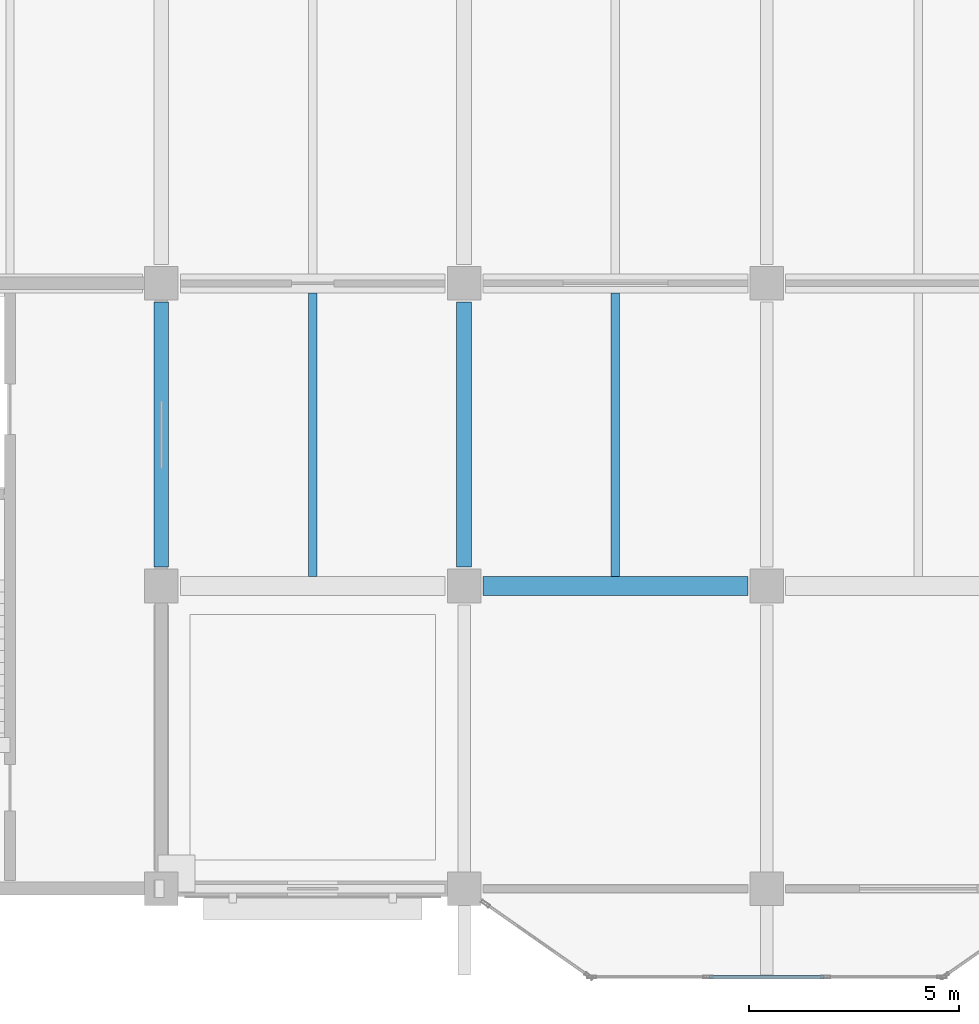
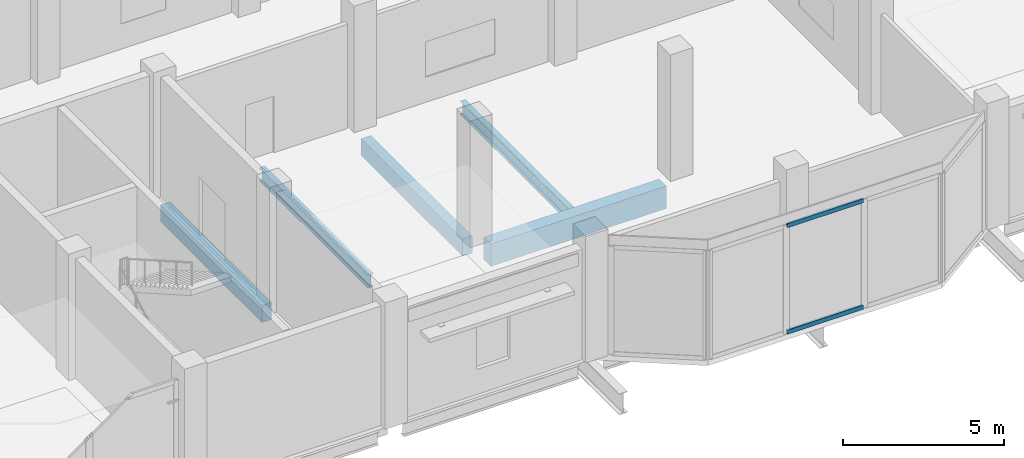
# One storey, part 42 of 99: 5 beams, 2 members, 1 element without a shape of its own.
"""IFC4 building model written with IfcOpenShell, lengths in metres."""

from ifc_helpers import new_model, si_unit, direction, frame, origin, origin_2d, place, context, subcontext, project, spatial, rectangle, hollow_rectangle, i_section, extrude, material, material_profile, profile_set, type_object, element, aggregate, save


model = new_model("IFC4")

# Units and contexts
model_context = context("Model", 3, precision=1e-05, world=origin(), true_north=direction((0.0, 1.0)))
body_context = subcontext(model_context, "Body", "Model", "MODEL_VIEW")
ifc_project = project(units=[si_unit("LENGTHUNIT", "METRE"), si_unit("AREAUNIT", "SQUARE_METRE"), si_unit("VOLUMEUNIT", "CUBIC_METRE"), si_unit("PLANEANGLEUNIT", "RADIAN"), si_unit("MASSUNIT", "GRAM", prefix="KILO")], contexts=[model_context])

# Site, building, storey
site_placement = place(None, origin())
site = spatial("IfcSite", under=ifc_project, at=site_placement, CompositionType="ELEMENT")
building_placement = place(site_placement, origin())
building = spatial("IfcBuilding", under=site, at=building_placement, Name="Vesperath Aquatics Centre", CompositionType="ELEMENT")
storey_placement = place(building_placement, frame((0.0, 0.0, 5.39990234375)))
storey = spatial("IfcBuildingStorey", under=building, at=storey_placement, Name="L01", CompositionType="ELEMENT", Elevation=5.39990234375)

# Beams
ifc_material_1 = material(Name="Concrete C35", Category="concrete")
ifc_material_profile_1 = material_profile(ifc_material_1, rectangle(XDim=0.449951171875, YDim=0.85009765625, at=origin_2d()), Name="RC 450x850")
ifc_profile_set_1 = profile_set([ifc_material_profile_1], Name="Concrete C35")
beam_type_1 = type_object("IfcBeamType", Name="BM-G03", PredefinedType="BEAM", material=ifc_profile_set_1)
beam_placement = place(storey_placement, frame((137.25, 7.199951171875, -0.684814453125), z_axis=(1.0, 0.0, 0.0), x_axis=(0.0, 1.0, 0.0)))
element("IfcBeam", 1, at=beam_placement, inside=storey, type_object=beam_type_1, Name="Floor Girder B03 L01 B 20-21", PredefinedType="BEAM", context=body_context, shape_type="SweptSolid", body=[
    extrude(rectangle(XDim=0.449951171875, YDim=0.85009765625, at=origin_2d()), origin(), (0.0, 0.0, 1.0), 6.300048828125),
])
ifc_material_profile_2 = material_profile(ifc_material_1, rectangle(XDim=0.35009765625, YDim=0.64990234375, at=origin_2d()), Name="RC 350x650")
ifc_profile_set_2 = profile_set([ifc_material_profile_2], Name="Concrete C35")
beam_type_2 = type_object("IfcBeamType", Name="BM-G05", PredefinedType="BEAM", material=ifc_profile_set_2)
for number, where, z_axis, x_axis, name in (
    (2, (129.60009765625, 7.64990234375, -0.5849609375), (0.0, 1.0, 0.0), (-1.0, 0.0, 0.0), "Floor Girder B05 L01 19 B-C"),
    (3, (136.800048828125, 7.64990234375, -0.5849609375), (0.0, 1.0, 0.0), (-1.0, 0.0, 0.0), "Floor Girder B05 L01 20 B-C"),
):
    element("IfcBeam", number, at=place(storey_placement, frame(where, z_axis=z_axis, x_axis=x_axis)), inside=storey, type_object=beam_type_2, Name=name, PredefinedType="BEAM", context=body_context, shape_type="SweptSolid", body=[
        extrude(rectangle(XDim=0.35009765625, YDim=0.64990234375, at=origin_2d()), origin(), (0.0, 0.0, 1.0), 6.300048828125),
    ])
ifc_material_2 = material(Name="Steel Q355C", Category="steel")
ifc_material_profile_3 = material_profile(ifc_material_2, i_section(OverallWidth=0.199951171875, OverallDepth=0.5, WebThickness=0.010009765625, FlangeThickness=0.01611328125, FilletRadius=0.02001953125, at=origin_2d()), Name="HN 500x200x10x16")
ifc_profile_set_3 = profile_set([ifc_material_profile_3], Name="Steel Q355C")
beam_type_3 = type_object("IfcBeamType", Name="BM-J02", PredefinedType="JOIST", material=ifc_profile_set_3)
for number, where, z_axis, x_axis, name in (
    (4, (133.199951171875, 7.425048828125, -0.510009765625), (0.0, 1.0, 0.0), (-1.0, 0.0, 0.0), "Secondary Floor Joist J02 L01 19/B"),
    (5, (140.39990234375, 7.425048828125, -0.510009765625), (0.0, 1.0, 0.0), (-1.0, 0.0, 0.0), "Secondary Floor Joist J02 L01 20/B"),
):
    element("IfcBeam", number, at=place(storey_placement, frame(where, z_axis=z_axis, x_axis=x_axis)), inside=storey, type_object=beam_type_3, Name=name, PredefinedType="JOIST", context=body_context, shape_type="SweptSolid", body=[
        extrude(i_section(OverallWidth=0.199951171875, OverallDepth=0.5, WebThickness=0.010009765625, FlangeThickness=0.01611328125, FilletRadius=0.02001953125, at=origin_2d()), origin(), (0.0, 0.0, 1.0), 6.75),
    ])

# Curtain wall, members
ifc_material_3 = material(Name="Thermally broken anodised bronze aluminium curtain wall", Category="aluminium")
curtain_wall_type = type_object("IfcCurtainWallType", Name="CW-02", PredefinedType="NOTDEFINED", material=ifc_material_3)
curtain_wall_placement = place(storey_placement, origin())
curtain_wall = element("IfcCurtainWall", 6, at=curtain_wall_placement, inside=storey, type_object=curtain_wall_type, Name="South Boulevard Bow Oriel Curtain Wall L01-C", PredefinedType="NOTDEFINED")
ifc_material_4 = material(Name="Thermally broken anodised aluminium", Category="aluminium")
ifc_material_profile_4 = material_profile(ifc_material_4, hollow_rectangle(XDim=0.070068359375, YDim=0.159912109375, WallThickness=0.0048828125, at=origin_2d()), Name="CWT 70x160x5")
ifc_profile_set_4 = profile_set([ifc_material_profile_4], Name="Thermally broken anodised aluminium")
member_type = type_object("IfcMemberType", Name="MB-CWT2", PredefinedType="USERDEFINED", material=ifc_profile_set_4)
member_1_placement = place(storey_placement, frame((142.635009765625, -2.10009765625, 0.03515625), z_axis=(1.0, 0.0, 0.0), x_axis=(0.0, 1.0, 0.0)))
member_1 = element("IfcMember", 7, at=member_1_placement, type_object=member_type, Name="CW02 transom 2.1", ObjectType="TRANSOM", PredefinedType="USERDEFINED", context=body_context, shape_type="SweptSolid", body=[
    extrude(hollow_rectangle(XDim=0.070068359375, YDim=0.159912109375, WallThickness=0.0048828125, at=origin_2d()), origin(), (0.0, 0.0, 1.0), 2.72998046875),
])
member_2_placement = place(storey_placement, frame((142.635009765625, -2.10009765625, 4.0751953125), z_axis=(1.0, 0.0, 0.0), x_axis=(0.0, 1.0, 0.0)))
member_2 = element("IfcMember", 8, at=member_2_placement, type_object=member_type, Name="CW02 transom 2.2", ObjectType="TRANSOM", PredefinedType="USERDEFINED", context=body_context, shape_type="SweptSolid", body=[
    extrude(hollow_rectangle(XDim=0.070068359375, YDim=0.159912109375, WallThickness=0.0048828125, at=origin_2d()), origin(), (0.0, 0.0, 1.0), 2.72998046875),
])
aggregate(curtain_wall, [member_1, member_2])

save(model, "model.ifc")
